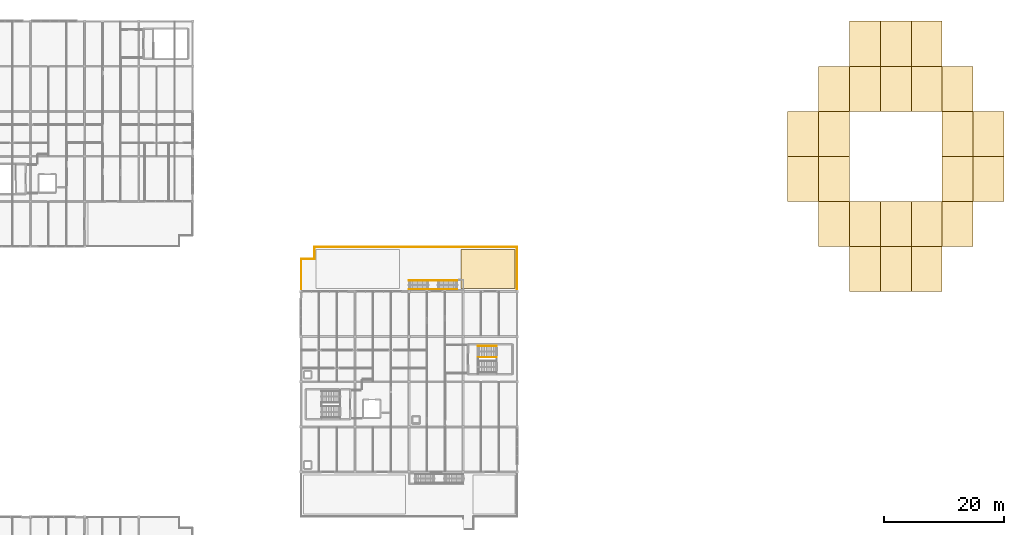
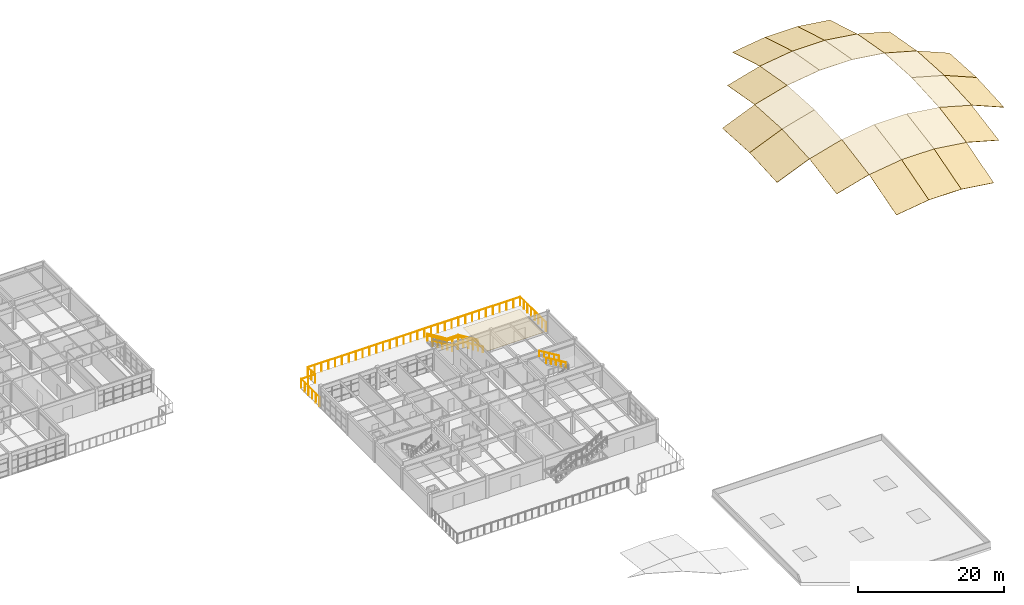
# One storey, part 45 of 45: 25 coverings, 6 railings.
"""IFC4 building model written with IfcOpenShell, lengths in metres."""

from ifc_helpers import new_model, si_unit, direction, frame, origin, origin_2d, place, context, subcontext, project, spatial, polyline, circle, outline, extrude, material, layer, layer_set, type_object, element, save


model = new_model("IFC4")

# Units and contexts
model_context = context("Model", 3, precision=1e-05, world=origin(), true_north=direction((0.0, 1.0)))
body_context = subcontext(model_context, "Body", "Model", "MODEL_VIEW")
ifc_project = project(units=[si_unit("LENGTHUNIT", "METRE"), si_unit("AREAUNIT", "SQUARE_METRE"), si_unit("VOLUMEUNIT", "CUBIC_METRE"), si_unit("PLANEANGLEUNIT", "RADIAN"), si_unit("MASSUNIT", "GRAM", prefix="KILO")], contexts=[model_context])

# Site, building, storey
site_placement = place(None, origin())
site = spatial("IfcSite", under=ifc_project, at=site_placement, CompositionType="ELEMENT")
building_placement = place(site_placement, origin())
building = spatial("IfcBuilding", under=site, at=building_placement, Name="Marnridge Secondary College", CompositionType="ELEMENT")
storey_placement = place(building_placement, frame((0.0, 0.0, 12.300048828125)))
storey = spatial("IfcBuildingStorey", under=building, at=storey_placement, Name="L03", CompositionType="ELEMENT", Elevation=12.300048828125)

# Coverings
ifc_material_1 = material(Name="Charred jarrah acoustic soffit cladding", Category="wood")
ifc_layer_1 = layer(ifc_material_1, 0.034912109375)
ifc_layer_set_1 = layer_set([ifc_layer_1], Name="CV-CLAD-TIM")
covering_type_1 = type_object("IfcCoveringType", Name="CV-CLAD-TIM", PredefinedType="CLADDING", material=ifc_layer_set_1)
covering_1_placement = place(storey_placement, frame((0.0, 0.0, -0.195068359375)))
element("IfcCovering", 1, at=covering_1_placement, inside=storey, type_object=covering_type_1, Name="Timber soffit cladding CVL-04", PredefinedType="CLADDING", context=body_context, shape_type="SweptSolid", body=[
    extrude(outline(polyline([(80.60009765625, 75.5), (89.60009765625, 75.5), (89.60009765625, 82.0), (80.60009765625, 82.0), (80.60009765625, 75.5)])), origin(), (0.0, 0.0, 1.0), 0.034912109375),
])
ifc_material_2 = material(Name="Pre-weathered standing-seam zinc roofing", Category="steel")
ifc_layer_2 = layer(ifc_material_2, 0.044921875)
ifc_layer_set_2 = layer_set([ifc_layer_2], Name="CV-ROOF-ZINC")
covering_type_2 = type_object("IfcCoveringType", Name="CV-ROOF-ZINC", PredefinedType="ROOFING", material=ifc_layer_set_2)
covering_2_placement = place(storey_placement, frame((135.0, 90.0, 0.3056640625), z_axis=(-0.385901164733, -0.054560030304, 0.920925346676), x_axis=(0.922299118379, 0.0, 0.386476824967)))
element("IfcCovering", 2, at=covering_2_placement, inside=storey, type_object=covering_type_2, Name="Standing-seam zinc roof panel CVR-V2-0103", PredefinedType="ROOFING", context=body_context, shape_type="SweptSolid", body=[
    extrude(outline(polyline([(0.0, 0.0), (5.576089321935026, 0.0), (5.747814864278854, 7.511187972848285), (0.17172554234382773, 7.511187972848285), (0.0, 0.0)])), origin(), (0.0, 0.0, -1.0), 0.044921875),
])
covering_3_placement = place(storey_placement, frame((135.0, 97.5, 0.75), z_axis=(-0.385901164733, 0.054560030304, 0.920925346676), x_axis=(0.922299118379, 0.0, 0.386476824967)))
element("IfcCovering", 3, at=covering_3_placement, inside=storey, type_object=covering_type_2, Name="Standing-seam zinc roof panel CVR-V2-0104", PredefinedType="ROOFING", context=body_context, shape_type="SweptSolid", body=[
    extrude(outline(polyline([(0.0, 0.0), (5.576089321935026, 0.0), (5.404363779591199, 7.511187972848284), (-0.17172554234382773, 7.511187972848285), (0.0, 0.0)])), origin(), (0.0, 0.0, -1.0), 0.044921875),
])
covering_4_placement = place(storey_placement, frame((140.142822265625, 82.5, 1.127197265625), z_axis=(-0.26520983208, -0.168785487058, 0.949302483051), x_axis=(0.963120557911, 0.0, 0.269070234194)))
element("IfcCovering", 4, at=covering_4_placement, inside=storey, type_object=covering_type_2, Name="Standing-seam zinc roof panel CVR-V2-0202", PredefinedType="ROOFING", context=body_context, shape_type="SweptSolid", body=[
    extrude(outline(polyline([(0.0, 0.0), (5.339749238434277, 0.0), (5.698553344676937, 7.609170220555584), (0.35880410624266007, 7.609170220555585), (0.0, 0.0)])), origin(), (0.0, 0.0, -1.0), 0.044921875),
])
covering_5_placement = place(storey_placement, frame((140.142822265625, 90.0, 2.460693359375), z_axis=(-0.268633277489, -0.056967214396, 0.961556497929), x_axis=(0.963120557911, 0.0, 0.269070234194)))
element("IfcCovering", 5, at=covering_5_placement, inside=storey, type_object=covering_type_2, Name="Standing-seam zinc roof panel CVR-V2-0203", PredefinedType="ROOFING", context=body_context, shape_type="SweptSolid", body=[
    extrude(outline(polyline([(0.0, 0.0), (5.339749238434277, 1.3877787807814457e-17), (5.4593068131984, 7.51219943902387), (0.11955757476412328, 7.5121994390238696), (0.0, 0.0)])), origin(), (0.0, 0.0, -1.0), 0.044921875),
])
covering_6_placement = place(storey_placement, frame((140.142822265625, 97.5, 2.905029296875), z_axis=(-0.268633277489, 0.056967214396, 0.961556497929), x_axis=(0.963120557911, 0.0, 0.269070234194)))
element("IfcCovering", 6, at=covering_6_placement, inside=storey, type_object=covering_type_2, Name="Standing-seam zinc roof panel CVR-V2-0204", PredefinedType="ROOFING", context=body_context, shape_type="SweptSolid", body=[
    extrude(outline(polyline([(0.0, 0.0), (5.339749238434277, -1.3877787807814457e-17), (5.220191663670153, 7.5121994390238696), (-0.11955757476412328, 7.5121994390238696), (0.0, 0.0)])), origin(), (0.0, 0.0, -1.0), 0.044921875),
])
covering_7_placement = place(storey_placement, frame((140.142822265625, 105.0, 2.460693359375), z_axis=(-0.26520983208, 0.168785487058, 0.949302483051), x_axis=(0.963120557911, 0.0, 0.269070234194)))
element("IfcCovering", 7, at=covering_7_placement, inside=storey, type_object=covering_type_2, Name="Standing-seam zinc roof panel CVR-V2-0205", PredefinedType="ROOFING", context=body_context, shape_type="SweptSolid", body=[
    extrude(outline(polyline([(0.0, 0.0), (5.339749238434277, 0.0), (4.980945132191617, 7.609170220555585), (-0.35880410624266007, 7.609170220555585), (0.0, 0.0)])), origin(), (0.0, 0.0, -1.0), 0.044921875),
])
covering_8_placement = place(storey_placement, frame((145.28564453125, 75.0, 0.341796875), z_axis=(-0.132739536318, -0.281582318698, 0.950311324406), x_axis=(0.990385462354, -6.290205e-06, 0.138335230215)))
element("IfcCovering", 8, at=covering_8_placement, inside=storey, type_object=covering_type_2, Name="Standing-seam zinc roof panel CVR-V2-0301", PredefinedType="ROOFING", context=body_context, shape_type="SweptSolid", body=[
    extrude(outline(polyline([(0.0, 0.0), (5.192979100888225, 0.0), (5.500369815138275, 7.8163051705542035), (0.3073569410004858, 7.8162370856250405), (0.0, 0.0)])), origin(), (0.0, 0.0, -1.0), 0.044921875),
])
covering_9_placement = place(storey_placement, frame((145.28564453125, 82.5, 2.56396484375), z_axis=(-0.136241301004, -0.173406397989, 0.975381222414), x_axis=(0.990385110169, 3.975852e-06, 0.138337751683)))
element("IfcCovering", 9, at=covering_9_placement, inside=storey, type_object=covering_type_2, Name="Standing-seam zinc roof panel CVR-V2-0302", PredefinedType="ROOFING", context=body_context, shape_type="SweptSolid", body=[
    extrude(outline(polyline([(0.0, 0.0), (5.193012874514852, -2.7755575615628914e-17), (5.3774817710240805, 7.615348447875239), (0.1845026703743855, 7.615390376237764), (0.0, 0.0)])), origin(), (0.0, 0.0, -1.0), 0.044921875),
])
covering_10_placement = place(storey_placement, frame((145.28564453125, 105.0, 3.8974609375), z_axis=(-0.136241301004, 0.173406397989, 0.975381222414), x_axis=(0.990385303853, 3.975877e-06, 0.138336365053)))
element("IfcCovering", 10, at=covering_10_placement, inside=storey, type_object=covering_type_2, Name="Standing-seam zinc roof panel CVR-V2-0305", PredefinedType="ROOFING", context=body_context, shape_type="SweptSolid", body=[
    extrude(outline(polyline([(0.0, 0.0), (5.1929791008189605, 1.3877787807814457e-17), (5.008571691004652, 7.615349937037741), (-0.1844411833409328, 7.615391865672956), (0.0, 0.0)])), origin(), (0.0, 0.0, -1.0), 0.044921875),
])
covering_11_placement = place(storey_placement, frame((145.28564453125, 112.5, 2.56396484375), z_axis=(-0.132739536318, 0.281582318698, 0.950311324406), x_axis=(0.990384951642, -6.290164e-06, 0.13833888651)))
element("IfcCovering", 11, at=covering_11_placement, inside=storey, type_object=covering_type_2, Name="Standing-seam zinc roof panel CVR-V2-0306", PredefinedType="ROOFING", context=body_context, shape_type="SweptSolid", body=[
    extrude(outline(polyline([(0.0, 0.0), (5.193012874584117, 0.0), (4.8855196817807665, 7.816301139721982), (-0.30745941866113674, 7.816233055235621), (0.0, 0.0)])), origin(), (0.0, 0.0, -1.0), 0.044921875),
])
covering_12_placement = place(storey_placement, frame((150.4287109375, 75.0, 1.06005859375), z_axis=(0.0, -0.284110645434, 0.958791500354), x_axis=(1.0, 0.0, 0.0)))
element("IfcCovering", 12, at=covering_12_placement, inside=storey, type_object=covering_type_2, Name="Standing-seam zinc roof panel CVR-V2-0401", PredefinedType="ROOFING", context=body_context, shape_type="SweptSolid", body=[
    extrude(outline(polyline([(0.0, 0.0), (5.142578125, 0.0), (5.142578125, 7.822347191469874), (0.0, 7.822347191469874), (0.0, 0.0)])), origin(), (0.0, 0.0, -1.0), 0.044921875),
])
for number, where, z_axis, x_axis, name in (
    (13, (150.4287109375, 82.5, 3.282470703125), (0.0, -0.175022978799, 0.984564348782), (1.0, 0.0, 0.0), "Standing-seam zinc roof panel CVR-V2-0402"),
    (14, (150.4287109375, 105.0, 4.61572265625), (0.0, 0.175022978799, 0.984564348782), (1.0, 0.0, 0.0), "Standing-seam zinc roof panel CVR-V2-0405"),
):
    element("IfcCovering", number, at=place(storey_placement, frame(where, z_axis=z_axis, x_axis=x_axis)), inside=storey, type_object=covering_type_2, Name=name, PredefinedType="ROOFING", context=body_context, shape_type="SweptSolid", body=[
        extrude(outline(polyline([(0.0, 0.0), (5.142578125, 0.0), (5.142578125, 7.617582344189763), (0.0, 7.617582344189763), (0.0, 0.0)])), origin(), (0.0, 0.0, -1.0), 0.044921875),
    ])
covering_13_placement = place(storey_placement, frame((150.4287109375, 112.5, 3.282470703125), z_axis=(0.0, 0.284110645434, 0.958791500354), x_axis=(1.0, 0.0, 0.0)))
element("IfcCovering", 15, at=covering_13_placement, inside=storey, type_object=covering_type_2, Name="Standing-seam zinc roof panel CVR-V2-0406", PredefinedType="ROOFING", context=body_context, shape_type="SweptSolid", body=[
    extrude(outline(polyline([(0.0, 0.0), (5.142578125, 0.0), (5.142578125, 7.822347191469874), (0.0, 7.822347191469874), (0.0, 0.0)])), origin(), (0.0, 0.0, -1.0), 0.044921875),
])
covering_14_placement = place(storey_placement, frame((155.5712890625, 75.0, 1.06005859375), z_axis=(0.132739536318, -0.281582318698, 0.950311324406), x_axis=(0.990385462354, 6.290205e-06, -0.138335230215)))
element("IfcCovering", 16, at=covering_14_placement, inside=storey, type_object=covering_type_2, Name="Standing-seam zinc roof panel CVR-V2-0501", PredefinedType="ROOFING", context=body_context, shape_type="SweptSolid", body=[
    extrude(outline(polyline([(0.0, 0.0), (5.192979100888225, 0.0), (4.885622159887739, 7.8162370856250405), (-0.30739071425005005, 7.8163051705542035), (0.0, 0.0)])), origin(), (0.0, 0.0, -1.0), 0.044921875),
])
covering_15_placement = place(storey_placement, frame((155.5712890625, 82.5, 3.282470703125), z_axis=(0.136241301004, -0.173406397989, 0.975381222414), x_axis=(0.990385110169, -3.975852e-06, -0.138337751683)))
element("IfcCovering", 17, at=covering_15_placement, inside=storey, type_object=covering_type_2, Name="Standing-seam zinc roof panel CVR-V2-0502", PredefinedType="ROOFING", context=body_context, shape_type="SweptSolid", body=[
    extrude(outline(polyline([(0.0, 0.0), (5.193012874514852, 2.7755575615628914e-17), (5.008510204140467, 7.615390376237764), (-0.1844688965092285, 7.615348447875239), (0.0, 0.0)])), origin(), (0.0, 0.0, -1.0), 0.044921875),
])
covering_16_placement = place(storey_placement, frame((155.5712890625, 105.0, 4.61572265625), z_axis=(0.136241301004, 0.173406397989, 0.975381222414), x_axis=(0.990385303853, -3.975877e-06, -0.138336365053)))
element("IfcCovering", 18, at=covering_16_placement, inside=storey, type_object=covering_type_2, Name="Standing-seam zinc roof panel CVR-V2-0505", PredefinedType="ROOFING", context=body_context, shape_type="SweptSolid", body=[
    extrude(outline(polyline([(0.0, 0.0), (5.1929791008189605, -1.3877787807814457e-17), (5.377420284159894, 7.615391865672956), (0.1844074098143085, 7.615349937037741), (0.0, 0.0)])), origin(), (0.0, 0.0, -1.0), 0.044921875),
])
covering_17_placement = place(storey_placement, frame((155.5712890625, 112.5, 3.282470703125), z_axis=(0.132739536318, 0.281582318698, 0.950311324406), x_axis=(0.990384951642, 6.290164e-06, -0.13833888651)))
element("IfcCovering", 19, at=covering_17_placement, inside=storey, type_object=covering_type_2, Name="Standing-seam zinc roof panel CVR-V2-0506", PredefinedType="ROOFING", context=body_context, shape_type="SweptSolid", body=[
    extrude(outline(polyline([(0.0, 0.0), (5.193012874584117, 0.0), (5.500472293245253, 7.816233055235621), (0.30749319280335097, 7.816301139721982), (0.0, 0.0)])), origin(), (0.0, 0.0, -1.0), 0.044921875),
])
covering_18_placement = place(storey_placement, frame((160.71435546875, 82.5, 2.56396484375), z_axis=(0.26520983208, -0.168785487058, 0.949302483051), x_axis=(0.963120557911, 0.0, -0.269070234194)))
element("IfcCovering", 20, at=covering_18_placement, inside=storey, type_object=covering_type_2, Name="Standing-seam zinc roof panel CVR-V2-0602", PredefinedType="ROOFING", context=body_context, shape_type="SweptSolid", body=[
    extrude(outline(polyline([(0.0, 0.0), (5.339749238434277, 0.0), (4.980945132191617, 7.609170220555585), (-0.35880410624266007, 7.609170220555585), (0.0, 0.0)])), origin(), (0.0, 0.0, -1.0), 0.044921875),
])
covering_19_placement = place(storey_placement, frame((160.71435546875, 90.0, 3.8974609375), z_axis=(0.268633277489, -0.056967214396, 0.961556497929), x_axis=(0.963120557911, 0.0, -0.269070234194)))
element("IfcCovering", 21, at=covering_19_placement, inside=storey, type_object=covering_type_2, Name="Standing-seam zinc roof panel CVR-V2-0603", PredefinedType="ROOFING", context=body_context, shape_type="SweptSolid", body=[
    extrude(outline(polyline([(0.0, 0.0), (5.339749238434277, -1.3877787807814457e-17), (5.220191663670153, 7.5121994390238696), (-0.11955757476412328, 7.5121994390238696), (0.0, 0.0)])), origin(), (0.0, 0.0, -1.0), 0.044921875),
])
covering_20_placement = place(storey_placement, frame((160.71435546875, 97.5, 4.341796875), z_axis=(0.268633277489, 0.056967214396, 0.961556497929), x_axis=(0.963120557911, 0.0, -0.269070234194)))
element("IfcCovering", 22, at=covering_20_placement, inside=storey, type_object=covering_type_2, Name="Standing-seam zinc roof panel CVR-V2-0604", PredefinedType="ROOFING", context=body_context, shape_type="SweptSolid", body=[
    extrude(outline(polyline([(0.0, 0.0), (5.339749238434277, 1.3877787807814457e-17), (5.4593068131984, 7.51219943902387), (0.11955757476412328, 7.5121994390238696), (0.0, 0.0)])), origin(), (0.0, 0.0, -1.0), 0.044921875),
])
covering_21_placement = place(storey_placement, frame((160.71435546875, 105.0, 3.8974609375), z_axis=(0.26520983208, 0.168785487058, 0.949302483051), x_axis=(0.963120557911, 0.0, -0.269070234194)))
element("IfcCovering", 23, at=covering_21_placement, inside=storey, type_object=covering_type_2, Name="Standing-seam zinc roof panel CVR-V2-0605", PredefinedType="ROOFING", context=body_context, shape_type="SweptSolid", body=[
    extrude(outline(polyline([(0.0, 0.0), (5.339749238434277, 0.0), (5.698553344676937, 7.609170220555584), (0.35880410624266007, 7.609170220555585), (0.0, 0.0)])), origin(), (0.0, 0.0, -1.0), 0.044921875),
])
covering_22_placement = place(storey_placement, frame((165.857177734375, 90.0, 2.460693359375), z_axis=(0.385901164733, -0.054560030304, 0.920925346676), x_axis=(0.922299118379, 0.0, -0.386476824967)))
element("IfcCovering", 24, at=covering_22_placement, inside=storey, type_object=covering_type_2, Name="Standing-seam zinc roof panel CVR-V2-0703", PredefinedType="ROOFING", context=body_context, shape_type="SweptSolid", body=[
    extrude(outline(polyline([(0.0, 0.0), (5.576089321935026, 0.0), (5.404363779591199, 7.511187972848284), (-0.17172554234382773, 7.511187972848285), (0.0, 0.0)])), origin(), (0.0, 0.0, -1.0), 0.044921875),
])
covering_23_placement = place(storey_placement, frame((165.857177734375, 97.5, 2.905029296875), z_axis=(0.385901164733, 0.054560030304, 0.920925346676), x_axis=(0.922299118379, 0.0, -0.386476824967)))
element("IfcCovering", 25, at=covering_23_placement, inside=storey, type_object=covering_type_2, Name="Standing-seam zinc roof panel CVR-V2-0704", PredefinedType="ROOFING", context=body_context, shape_type="SweptSolid", body=[
    extrude(outline(polyline([(0.0, 0.0), (5.576089321935026, 0.0), (5.747814864278854, 7.511187972848285), (0.17172554234382773, 7.511187972848285), (0.0, 0.0)])), origin(), (0.0, 0.0, -1.0), 0.044921875),
])

# Railings
ifc_material_3 = material(Name="Galvanised steel Grade C350L0 (350 MPa) balustrade", Category="steel")
railing_type_1 = type_object("IfcRailingType", Name="RL-DECK-1500", PredefinedType="BALUSTRADE", material=ifc_material_3)
railing_1_placement = place(storey_placement, frame((54.06005859375, 75.415283203125, 0.0)))
element("IfcRailing", 26, at=railing_1_placement, inside=storey, type_object=railing_type_1, Name="Play deck balustrade GD-009", PredefinedType="BALUSTRADE", context=body_context, shape_type="SweptSolid", body=[
    extrude(circle(Radius=0.02392578125, at=origin_2d()), frame((0.0, 0.0, 1.47607421875), z_axis=(0.0, 1.0, 0.0), x_axis=(-1.0, 0.0, 0.0)), (0.0, 0.0, 1.0), 5.024658203125),
    extrude(circle(Radius=0.02392578125, at=origin_2d()), frame((0.0, 5.024658203125, 1.47607421875), z_axis=(1.0, 0.0, 0.0), x_axis=(0.0, 1.0, 0.0)), (0.0, 0.0, 1.0), 2.199951171875),
    extrude(circle(Radius=0.02392578125, at=origin_2d()), frame((2.199951171875, 5.024658203125, 1.47607421875), z_axis=(0.0, 1.0, 0.0), x_axis=(-1.0, 0.0, 0.0)), (0.0, 0.0, 1.0), 2.0),
    extrude(circle(Radius=0.02392578125, at=origin_2d()), frame((2.199951171875, 7.024658203125, 1.47607421875), z_axis=(1.0, 0.0, 0.0), x_axis=(0.0, 1.0, 0.0)), (0.0, 0.0, 1.0), 33.679931640625),
    extrude(circle(Radius=0.02392578125, at=origin_2d()), frame((35.8798828125, 7.024658203125, 1.47607421875), z_axis=(0.0, -1.0, 0.0), x_axis=(1.0, 0.0, 0.0)), (0.0, 0.0, 1.0), 7.024658203125),
    extrude(circle(Radius=0.02099609375, at=origin_2d()), origin(), (0.0, 0.0, 1.0), 1.451904296875),
    extrude(circle(Radius=0.02099609375, at=origin_2d()), frame((0.0, 1.0048828125, 0.0)), (0.0, 0.0, 1.0), 1.451904296875),
    extrude(circle(Radius=0.02099609375, at=origin_2d()), frame((0.0, 2.009765625, 0.0)), (0.0, 0.0, 1.0), 1.451904296875),
    extrude(circle(Radius=0.02099609375, at=origin_2d()), frame((0.0, 3.014892578125, 0.0)), (0.0, 0.0, 1.0), 1.451904296875),
    extrude(circle(Radius=0.02099609375, at=origin_2d()), frame((0.0, 4.019775390625, 0.0)), (0.0, 0.0, 1.0), 1.451904296875),
    extrude(circle(Radius=0.02099609375, at=origin_2d()), frame((0.0, 5.024658203125, 0.0)), (0.0, 0.0, 1.0), 1.451904296875),
    extrude(circle(Radius=0.02099609375, at=origin_2d()), frame((1.10009765625, 5.024658203125, 0.0)), (0.0, 0.0, 1.0), 1.451904296875),
    extrude(circle(Radius=0.02099609375, at=origin_2d()), frame((2.199951171875, 5.024658203125, 0.0)), (0.0, 0.0, 1.0), 1.451904296875),
    extrude(circle(Radius=0.02099609375, at=origin_2d()), frame((2.199951171875, 6.024658203125, 0.0)), (0.0, 0.0, 1.0), 1.451904296875),
    extrude(circle(Radius=0.02099609375, at=origin_2d()), frame((2.199951171875, 7.024658203125, 0.0)), (0.0, 0.0, 1.0), 1.451904296875),
    extrude(circle(Radius=0.02099609375, at=origin_2d()), frame((3.286376953125, 7.024658203125, 0.0)), (0.0, 0.0, 1.0), 1.451904296875),
    extrude(circle(Radius=0.02099609375, at=origin_2d()), frame((4.372802734375, 7.024658203125, 0.0)), (0.0, 0.0, 1.0), 1.451904296875),
    extrude(circle(Radius=0.02099609375, at=origin_2d()), frame((5.459228515625, 7.024658203125, 0.0)), (0.0, 0.0, 1.0), 1.451904296875),
    extrude(circle(Radius=0.02099609375, at=origin_2d()), frame((6.545654296875, 7.024658203125, 0.0)), (0.0, 0.0, 1.0), 1.451904296875),
    extrude(circle(Radius=0.02099609375, at=origin_2d()), frame((7.632080078125, 7.024658203125, 0.0)), (0.0, 0.0, 1.0), 1.451904296875),
    extrude(circle(Radius=0.02099609375, at=origin_2d()), frame((8.71875, 7.024658203125, 0.0)), (0.0, 0.0, 1.0), 1.451904296875),
    extrude(circle(Radius=0.02099609375, at=origin_2d()), frame((9.80517578125, 7.024658203125, 0.0)), (0.0, 0.0, 1.0), 1.451904296875),
    extrude(circle(Radius=0.02099609375, at=origin_2d()), frame((10.8916015625, 7.024658203125, 0.0)), (0.0, 0.0, 1.0), 1.451904296875),
    extrude(circle(Radius=0.02099609375, at=origin_2d()), frame((11.97802734375, 7.024658203125, 0.0)), (0.0, 0.0, 1.0), 1.451904296875),
    extrude(circle(Radius=0.02099609375, at=origin_2d()), frame((13.064453125, 7.024658203125, 0.0)), (0.0, 0.0, 1.0), 1.451904296875),
    extrude(circle(Radius=0.02099609375, at=origin_2d()), frame((14.15087890625, 7.024658203125, 0.0)), (0.0, 0.0, 1.0), 1.451904296875),
    extrude(circle(Radius=0.02099609375, at=origin_2d()), frame((15.2373046875, 7.024658203125, 0.0)), (0.0, 0.0, 1.0), 1.451904296875),
    extrude(circle(Radius=0.02099609375, at=origin_2d()), frame((16.32373046875, 7.024658203125, 0.0)), (0.0, 0.0, 1.0), 1.451904296875),
    extrude(circle(Radius=0.02099609375, at=origin_2d()), frame((17.41015625, 7.024658203125, 0.0)), (0.0, 0.0, 1.0), 1.451904296875),
    extrude(circle(Radius=0.02099609375, at=origin_2d()), frame((18.49658203125, 7.024658203125, 0.0)), (0.0, 0.0, 1.0), 1.451904296875),
    extrude(circle(Radius=0.02099609375, at=origin_2d()), frame((19.583251953125, 7.024658203125, 0.0)), (0.0, 0.0, 1.0), 1.451904296875),
    extrude(circle(Radius=0.02099609375, at=origin_2d()), frame((20.669677734375, 7.024658203125, 0.0)), (0.0, 0.0, 1.0), 1.451904296875),
    extrude(circle(Radius=0.02099609375, at=origin_2d()), frame((21.756103515625, 7.024658203125, 0.0)), (0.0, 0.0, 1.0), 1.451904296875),
    extrude(circle(Radius=0.02099609375, at=origin_2d()), frame((22.842529296875, 7.024658203125, 0.0)), (0.0, 0.0, 1.0), 1.451904296875),
    extrude(circle(Radius=0.02099609375, at=origin_2d()), frame((23.928955078125, 7.024658203125, 0.0)), (0.0, 0.0, 1.0), 1.451904296875),
    extrude(circle(Radius=0.02099609375, at=origin_2d()), frame((25.015380859375, 7.024658203125, 0.0)), (0.0, 0.0, 1.0), 1.451904296875),
    extrude(circle(Radius=0.02099609375, at=origin_2d()), frame((26.101806640625, 7.024658203125, 0.0)), (0.0, 0.0, 1.0), 1.451904296875),
    extrude(circle(Radius=0.02099609375, at=origin_2d()), frame((27.188232421875, 7.024658203125, 0.0)), (0.0, 0.0, 1.0), 1.451904296875),
    extrude(circle(Radius=0.02099609375, at=origin_2d()), frame((28.274658203125, 7.024658203125, 0.0)), (0.0, 0.0, 1.0), 1.451904296875),
    extrude(circle(Radius=0.02099609375, at=origin_2d()), frame((29.361083984375, 7.024658203125, 0.0)), (0.0, 0.0, 1.0), 1.451904296875),
    extrude(circle(Radius=0.02099609375, at=origin_2d()), frame((30.44775390625, 7.024658203125, 0.0)), (0.0, 0.0, 1.0), 1.451904296875),
    extrude(circle(Radius=0.02099609375, at=origin_2d()), frame((31.5341796875, 7.024658203125, 0.0)), (0.0, 0.0, 1.0), 1.451904296875),
    extrude(circle(Radius=0.02099609375, at=origin_2d()), frame((32.62060546875, 7.024658203125, 0.0)), (0.0, 0.0, 1.0), 1.451904296875),
    extrude(circle(Radius=0.02099609375, at=origin_2d()), frame((33.70703125, 7.024658203125, 0.0)), (0.0, 0.0, 1.0), 1.451904296875),
    extrude(circle(Radius=0.02099609375, at=origin_2d()), frame((34.79345703125, 7.024658203125, 0.0)), (0.0, 0.0, 1.0), 1.451904296875),
    extrude(circle(Radius=0.02099609375, at=origin_2d()), frame((35.8798828125, 7.024658203125, 0.0)), (0.0, 0.0, 1.0), 1.451904296875),
    extrude(circle(Radius=0.02099609375, at=origin_2d()), frame((35.8798828125, 6.021240234375, 0.0)), (0.0, 0.0, 1.0), 1.451904296875),
    extrude(circle(Radius=0.02099609375, at=origin_2d()), frame((35.8798828125, 5.017578125, 0.0)), (0.0, 0.0, 1.0), 1.451904296875),
    extrude(circle(Radius=0.02099609375, at=origin_2d()), frame((35.8798828125, 4.01416015625, 0.0)), (0.0, 0.0, 1.0), 1.451904296875),
    extrude(circle(Radius=0.02099609375, at=origin_2d()), frame((35.8798828125, 3.010498046875, 0.0)), (0.0, 0.0, 1.0), 1.451904296875),
    extrude(circle(Radius=0.02099609375, at=origin_2d()), frame((35.8798828125, 2.007080078125, 0.0)), (0.0, 0.0, 1.0), 1.451904296875),
    extrude(circle(Radius=0.02099609375, at=origin_2d()), frame((35.8798828125, 1.00341796875, 0.0)), (0.0, 0.0, 1.0), 1.451904296875),
    extrude(circle(Radius=0.02099609375, at=origin_2d()), frame((35.8798828125, 0.0, 0.0)), (0.0, 0.0, 1.0), 1.451904296875),
])
ifc_material_4 = material(Name="Stainless steel Grade 350 (350 MPa) 48 mm handrail", Category="steel")
railing_type_2 = type_object("IfcRailingType", Name="RL-HND-900", PredefinedType="HANDRAIL", material=ifc_material_4)
for number, where, name in (
    (27, (86.5849609375, 64.090087890625, 1.89990234375), "Stair handrail HR-051"),
    (28, (86.5849609375, 65.969970703125, 1.89990234375), "Stair handrail HR-052"),
):
    element("IfcRailing", number, at=place(storey_placement, frame(where)), inside=storey, type_object=railing_type_2, Name=name, PredefinedType="HANDRAIL", context=body_context, shape_type="SweptSolid", body=[
        extrude(circle(Radius=0.02392578125, at=origin_2d()), frame((0.0, 0.0, 0.8759765625), z_axis=(-0.855180835044, 0.0, 0.518329759298), x_axis=(0.0, -1.0, 0.0)), (0.0, 0.0, 1.0), 3.666015625),
        extrude(circle(Radius=0.02099609375, at=origin_2d()), origin(), (0.0, 0.0, 1.0), 0.851806640625),
        extrude(circle(Radius=0.02099609375, at=origin_2d()), frame((-0.78369140625, 0.0, 0.47509765625)), (0.0, 0.0, 1.0), 0.851806640625),
        extrude(circle(Radius=0.02099609375, at=origin_2d()), frame((-1.5673828125, 0.0, 0.9501953125)), (0.0, 0.0, 1.0), 0.851806640625),
        extrude(circle(Radius=0.02099609375, at=origin_2d()), frame((-2.351318359375, 0.0, 1.425048828125)), (0.0, 0.0, 1.0), 0.851806640625),
        extrude(circle(Radius=0.02099609375, at=origin_2d()), frame((-3.135009765625, 0.0, 1.900146484375)), (0.0, 0.0, 1.0), 0.851806640625),
    ])
ifc_material_5 = material(Name="Galvanised steel Grade 350 (350 MPa) 48 mm handrail", Category="steel")
railing_type_3 = type_object("IfcRailingType", Name="RL-HND-EXT900", PredefinedType="HANDRAIL", material=ifc_material_5)
railing_2_placement = place(storey_placement, frame((79.9599609375, 75.389892578125, 0.0)))
element("IfcRailing", 29, at=railing_2_placement, inside=storey, type_object=railing_type_3, Name="Exterior stair handrail HR-187", PredefinedType="HANDRAIL", context=body_context, shape_type="SweptSolid", body=[
    extrude(circle(Radius=0.02392578125, at=origin_2d()), frame((0.0, 0.0, 0.8759765625), z_axis=(-0.851106564228, 0.0, 0.524992967884), x_axis=(0.0, -1.0, 0.0)), (0.0, 0.0, 1.0), 3.618896484375),
    extrude(circle(Radius=0.02392578125, at=origin_2d()), frame((-3.080078125, 0.0, 2.77587890625), z_axis=(-1.0, 0.0, 0.0), x_axis=(0.0, -1.0, 0.0)), (0.0, 0.0, 1.0), 1.7998046875),
    extrude(circle(Radius=0.02392578125, at=origin_2d()), frame((-4.8798828125, 0.0, 2.77587890625), z_axis=(-0.851076419976, 0.0, 0.525041833915), x_axis=(0.0, -1.0, 0.0)), (0.0, 0.0, 1.0), 3.619140625),
    extrude(circle(Radius=0.02099609375, at=origin_2d()), origin(), (0.0, 0.0, 1.0), 0.851806640625),
    extrude(circle(Radius=0.02099609375, at=origin_2d()), frame((-0.77001953125, 0.0, 0.47509765625)), (0.0, 0.0, 1.0), 0.851806640625),
    extrude(circle(Radius=0.02099609375, at=origin_2d()), frame((-1.5400390625, 0.0, 0.949951171875)), (0.0, 0.0, 1.0), 0.851806640625),
    extrude(circle(Radius=0.02099609375, at=origin_2d()), frame((-2.31005859375, 0.0, 1.4248046875)), (0.0, 0.0, 1.0), 0.851806640625),
    extrude(circle(Radius=0.02099609375, at=origin_2d()), frame((-3.080078125, 0.0, 1.89990234375)), (0.0, 0.0, 1.0), 0.851806640625),
    extrude(circle(Radius=0.02099609375, at=origin_2d()), frame((-3.97998046875, 0.0, 1.89990234375)), (0.0, 0.0, 1.0), 0.851806640625),
    extrude(circle(Radius=0.02099609375, at=origin_2d()), frame((-4.8798828125, 0.0, 1.89990234375)), (0.0, 0.0, 1.0), 0.851806640625),
    extrude(circle(Radius=0.02099609375, at=origin_2d()), frame((-5.64990234375, 0.0, 2.375)), (0.0, 0.0, 1.0), 0.851806640625),
    extrude(circle(Radius=0.02099609375, at=origin_2d()), frame((-6.419921875, 0.0, 2.85009765625)), (0.0, 0.0, 1.0), 0.851806640625),
    extrude(circle(Radius=0.02099609375, at=origin_2d()), frame((-7.18994140625, 0.0, 3.324951171875)), (0.0, 0.0, 1.0), 0.851806640625),
    extrude(circle(Radius=0.02099609375, at=origin_2d()), frame((-7.9599609375, 0.0, 3.800048828125)), (0.0, 0.0, 1.0), 0.851806640625),
])
railing_3_placement = place(storey_placement, frame((79.9599609375, 76.81005859375, 0.0)))
element("IfcRailing", 30, at=railing_3_placement, inside=storey, type_object=railing_type_3, Name="Exterior stair handrail HR-188", PredefinedType="HANDRAIL", context=body_context, shape_type="SweptSolid", body=[
    extrude(circle(Radius=0.02392578125, at=origin_2d()), frame((0.0, 0.0, 0.8759765625), z_axis=(-0.851106564228, 0.0, 0.524992967884), x_axis=(0.0, -1.0, 0.0)), (0.0, 0.0, 1.0), 3.618896484375),
    extrude(circle(Radius=0.02392578125, at=origin_2d()), frame((-3.080078125, 0.0, 2.77587890625), z_axis=(-1.0, 0.0, 0.0), x_axis=(0.0, -1.0, 0.0)), (0.0, 0.0, 1.0), 1.7998046875),
    extrude(circle(Radius=0.02392578125, at=origin_2d()), frame((-4.8798828125, 0.0, 2.77587890625), z_axis=(-0.851076419976, 0.0, 0.525041833915), x_axis=(0.0, -1.0, 0.0)), (0.0, 0.0, 1.0), 3.619140625),
    extrude(circle(Radius=0.02099609375, at=origin_2d()), origin(), (0.0, 0.0, 1.0), 0.851806640625),
    extrude(circle(Radius=0.02099609375, at=origin_2d()), frame((-0.77001953125, 0.0, 0.47509765625)), (0.0, 0.0, 1.0), 0.851806640625),
    extrude(circle(Radius=0.02099609375, at=origin_2d()), frame((-1.5400390625, 0.0, 0.949951171875)), (0.0, 0.0, 1.0), 0.851806640625),
    extrude(circle(Radius=0.02099609375, at=origin_2d()), frame((-2.31005859375, 0.0, 1.4248046875)), (0.0, 0.0, 1.0), 0.851806640625),
    extrude(circle(Radius=0.02099609375, at=origin_2d()), frame((-3.080078125, 0.0, 1.89990234375)), (0.0, 0.0, 1.0), 0.851806640625),
    extrude(circle(Radius=0.02099609375, at=origin_2d()), frame((-3.97998046875, 0.0, 1.89990234375)), (0.0, 0.0, 1.0), 0.851806640625),
    extrude(circle(Radius=0.02099609375, at=origin_2d()), frame((-4.8798828125, 0.0, 1.89990234375)), (0.0, 0.0, 1.0), 0.851806640625),
    extrude(circle(Radius=0.02099609375, at=origin_2d()), frame((-5.64990234375, 0.0, 2.375)), (0.0, 0.0, 1.0), 0.851806640625),
    extrude(circle(Radius=0.02099609375, at=origin_2d()), frame((-6.419921875, 0.0, 2.85009765625)), (0.0, 0.0, 1.0), 0.851806640625),
    extrude(circle(Radius=0.02099609375, at=origin_2d()), frame((-7.18994140625, 0.0, 3.324951171875)), (0.0, 0.0, 1.0), 0.851806640625),
    extrude(circle(Radius=0.02099609375, at=origin_2d()), frame((-7.9599609375, 0.0, 3.800048828125)), (0.0, 0.0, 1.0), 0.851806640625),
])
ifc_material_6 = material(Name="Galvanised steel Grade C350L0 (350 MPa) exterior stair balustrade", Category="steel")
railing_type_4 = type_object("IfcRailingType", Name="RL-STAIR-EXT1150", PredefinedType="BALUSTRADE", material=ifc_material_6)
railing_4_placement = place(storey_placement, frame((79.9599609375, 76.860107421875, 0.0)))
element("IfcRailing", 31, at=railing_4_placement, inside=storey, type_object=railing_type_4, Name="Exterior stair guard GS-186", PredefinedType="BALUSTRADE", context=body_context, shape_type="SweptSolid", body=[
    extrude(circle(Radius=0.02392578125, at=origin_2d()), frame((0.0, 0.0, 1.1259765625), z_axis=(-0.851106564228, 0.0, 0.524992967884), x_axis=(0.0, -1.0, 0.0)), (0.0, 0.0, 1.0), 3.618896484375),
    extrude(circle(Radius=0.02392578125, at=origin_2d()), frame((-3.080078125, 0.0, 3.02587890625), z_axis=(-1.0, 0.0, 0.0), x_axis=(0.0, -1.0, 0.0)), (0.0, 0.0, 1.0), 1.7998046875),
    extrude(circle(Radius=0.02392578125, at=origin_2d()), frame((-4.8798828125, 0.0, 3.02587890625), z_axis=(-0.851076419976, 0.0, 0.525041833915), x_axis=(0.0, -1.0, 0.0)), (0.0, 0.0, 1.0), 3.619140625),
    extrude(circle(Radius=0.02099609375, at=origin_2d()), origin(), (0.0, 0.0, 1.0), 1.101806640625),
    extrude(circle(Radius=0.02099609375, at=origin_2d()), frame((-0.77001953125, 0.0, 0.47509765625)), (0.0, 0.0, 1.0), 1.101806640625),
    extrude(circle(Radius=0.02099609375, at=origin_2d()), frame((-1.5400390625, 0.0, 0.949951171875)), (0.0, 0.0, 1.0), 1.101806640625),
    extrude(circle(Radius=0.02099609375, at=origin_2d()), frame((-2.31005859375, 0.0, 1.4248046875)), (0.0, 0.0, 1.0), 1.101806640625),
    extrude(circle(Radius=0.02099609375, at=origin_2d()), frame((-3.080078125, 0.0, 1.89990234375)), (0.0, 0.0, 1.0), 1.101806640625),
    extrude(circle(Radius=0.02099609375, at=origin_2d()), frame((-3.97998046875, 0.0, 1.89990234375)), (0.0, 0.0, 1.0), 1.101806640625),
    extrude(circle(Radius=0.02099609375, at=origin_2d()), frame((-4.8798828125, 0.0, 1.89990234375)), (0.0, 0.0, 1.0), 1.101806640625),
    extrude(circle(Radius=0.02099609375, at=origin_2d()), frame((-5.64990234375, 0.0, 2.375)), (0.0, 0.0, 1.0), 1.101806640625),
    extrude(circle(Radius=0.02099609375, at=origin_2d()), frame((-6.419921875, 0.0, 2.85009765625)), (0.0, 0.0, 1.0), 1.101806640625),
    extrude(circle(Radius=0.02099609375, at=origin_2d()), frame((-7.18994140625, 0.0, 3.324951171875)), (0.0, 0.0, 1.0), 1.101806640625),
    extrude(circle(Radius=0.02099609375, at=origin_2d()), frame((-7.9599609375, 0.0, 3.800048828125)), (0.0, 0.0, 1.0), 1.101806640625),
])

save(model, "model.ifc")
